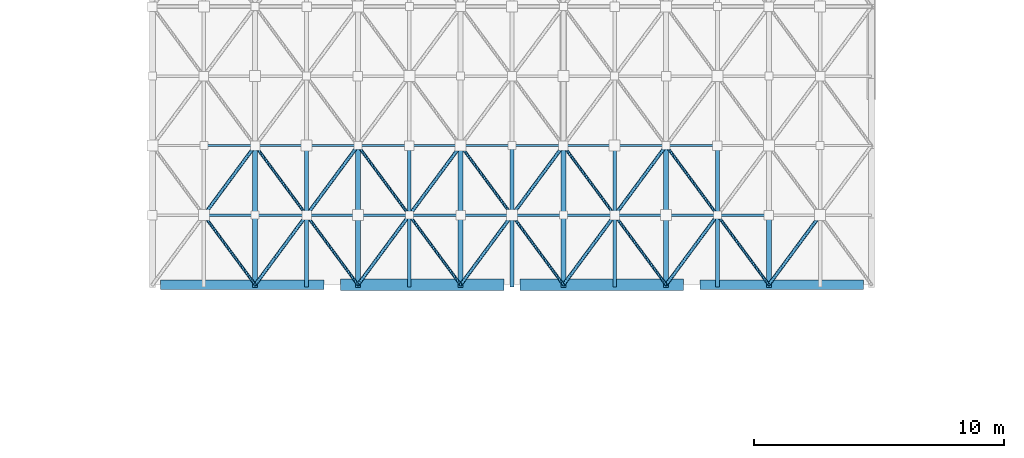
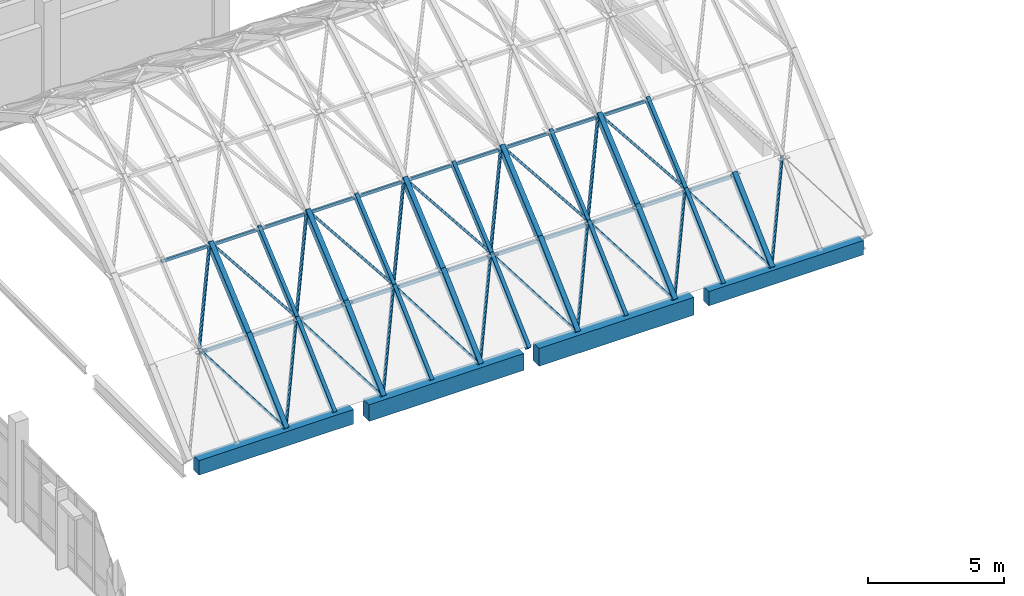
# One storey, part 23 of 87: 64 members, 4 beams.
"""IFC4 building model written with IfcOpenShell, lengths in metres."""

from ifc_helpers import new_model, si_unit, direction, frame, origin, origin_2d, place, context, subcontext, project, spatial, rectangle, hollow_rectangle, hollow_circle, extrude, material, material_profile, profile_set, type_object, element, save


model = new_model("IFC4")

# Units and contexts
model_context = context("Model", 3, precision=1e-05, world=origin(), true_north=direction((0.0, 1.0)))
body_context = subcontext(model_context, "Body", "Model", "MODEL_VIEW")
ifc_project = project(units=[si_unit("LENGTHUNIT", "METRE"), si_unit("AREAUNIT", "SQUARE_METRE"), si_unit("VOLUMEUNIT", "CUBIC_METRE"), si_unit("PLANEANGLEUNIT", "RADIAN"), si_unit("MASSUNIT", "GRAM", prefix="KILO")], contexts=[model_context])

# Site, building, storey
site_placement = place(None, origin())
site = spatial("IfcSite", under=ifc_project, at=site_placement, CompositionType="ELEMENT")
building_placement = place(site_placement, origin())
building = spatial("IfcBuilding", under=site, at=building_placement, Name="Kalluvel Institute of Natural Sciences", CompositionType="ELEMENT")
storey_placement = place(building_placement, frame((0.0, 0.0, 18.89990234375)))
storey = spatial("IfcBuildingStorey", under=building, at=storey_placement, Name="L04", CompositionType="ELEMENT", Elevation=18.89990234375)

# Beams
ifc_material_1 = material(Name="Concrete M40", Category="concrete")
ifc_material_profile_1 = material_profile(ifc_material_1, rectangle(XDim=0.3798828125, YDim=0.639892578125, at=origin_2d()), Name="RCB 380x640")
ifc_profile_set_1 = profile_set([ifc_material_profile_1], Name="Concrete M40")
beam_type_1 = type_object("IfcBeamType", Name="BM-RC380x640", PredefinedType="BEAM", material=ifc_profile_set_1)
beam_1_placement = place(storey_placement, frame((64.72509765625, 71.60009765625, -0.2998046875), z_axis=(1.0, 0.0, 0.0), x_axis=(0.0, 1.0, 0.0)))
element("IfcBeam", 1, at=beam_1_placement, inside=storey, type_object=beam_type_1, Name="L04 girder GIR-L04-EW-X644-Y716", PredefinedType="BEAM", context=body_context, shape_type="SweptSolid", body=[
    extrude(rectangle(XDim=0.3798828125, YDim=0.639892578125, at=origin_2d()), origin(), (0.0, 0.0, 1.0), 6.5498046875),
])
ifc_material_profile_2 = material_profile(ifc_material_1, rectangle(XDim=0.39990234375, YDim=0.64990234375, at=origin_2d()), Name="RCB 400x650")
ifc_profile_set_2 = profile_set([ifc_material_profile_2], Name="Concrete M40")
beam_type_2 = type_object("IfcBeamType", Name="BM-RC400x650", PredefinedType="BEAM", material=ifc_profile_set_2)
beam_2_placement = place(storey_placement, frame((43.125, 71.60009765625, -0.304931640625), z_axis=(1.0, 0.0, 0.0), x_axis=(0.0, 1.0, 0.0)))
element("IfcBeam", 2, at=beam_2_placement, inside=storey, type_object=beam_type_2, Name="L04 girder GIR-L04-EW-X428-Y716", PredefinedType="BEAM", context=body_context, shape_type="SweptSolid", body=[
    extrude(rectangle(XDim=0.39990234375, YDim=0.64990234375, at=origin_2d()), origin(), (0.0, 0.0, 1.0), 6.550048828125),
])
ifc_material_profile_3 = material_profile(ifc_material_1, rectangle(XDim=0.449951171875, YDim=0.75, at=origin_2d()), Name="RCB 450x750")
ifc_profile_set_3 = profile_set([ifc_material_profile_3], Name="Concrete M40")
beam_type_3 = type_object("IfcBeamType", Name="BM-RC450x750", PredefinedType="BEAM", material=ifc_profile_set_3)
beam_3_placement = place(storey_placement, frame((50.324951171875, 71.60009765625, -0.35498046875), z_axis=(1.0, 0.0, 0.0), x_axis=(0.0, 1.0, 0.0)))
element("IfcBeam", 3, at=beam_3_placement, inside=storey, type_object=beam_type_3, Name="L04 girder GIR-L04-EW-X500-Y716", PredefinedType="BEAM", context=body_context, shape_type="SweptSolid", body=[
    extrude(rectangle(XDim=0.449951171875, YDim=0.75, at=origin_2d()), origin(), (0.0, 0.0, 1.0), 6.550048828125),
])
ifc_material_profile_4 = material_profile(ifc_material_1, rectangle(XDim=0.449951171875, YDim=0.800048828125, at=origin_2d()), Name="RCB 450x800")
ifc_profile_set_4 = profile_set([ifc_material_profile_4], Name="Concrete M40")
beam_type_4 = type_object("IfcBeamType", Name="BM-RC450x800", PredefinedType="BEAM", material=ifc_profile_set_4)
beam_4_placement = place(storey_placement, frame((57.52490234375, 71.60009765625, -0.3798828125), z_axis=(1.0, 0.0, 0.0), x_axis=(0.0, 1.0, 0.0)))
element("IfcBeam", 4, at=beam_4_placement, inside=storey, type_object=beam_type_4, Name="L04 girder GIR-L04-EW-X572-Y716", PredefinedType="BEAM", context=body_context, shape_type="SweptSolid", body=[
    extrude(rectangle(XDim=0.449951171875, YDim=0.800048828125, at=origin_2d()), origin(), (0.0, 0.0, 1.0), 6.550048828125),
])

# Members
ifc_material_2 = material(Name="Steel E350 Grade 350", Category="steel")
ifc_material_profile_5 = material_profile(ifc_material_2, hollow_rectangle(XDim=0.14990234375, YDim=0.25, WallThickness=0.010009765625, at=origin_2d()), Name="RHS 250x150x10")
ifc_profile_set_5 = profile_set([ifc_material_profile_5], Name="Steel E350 Grade 350")
member_type_1 = type_object("IfcMemberType", Name="MB-ARCH-SEG250", PredefinedType="USERDEFINED", material=ifc_profile_set_5)
member_1_placement = place(storey_placement, frame((48.971435546875, 71.60009765625, 0.0), z_axis=(0.0, 0.733088696682, 0.680133047864), x_axis=(-1.0, 0.0, 0.0)))
element("IfcMember", 5, at=member_1_placement, inside=storey, type_object=member_type_1, Name="Atrium gridshell pointed arch segment 25", ObjectType="ARCH_SEGMENT", PredefinedType="USERDEFINED", context=body_context, shape_type="SweptSolid", body=[
    extrude(hollow_rectangle(XDim=0.14990234375, YDim=0.25, WallThickness=0.010009765625, at=origin_2d()), origin(), (0.0, 0.0, 1.0), 3.798828125),
])
member_2_placement = place(storey_placement, frame((48.971435546875, 74.385009765625, 2.583740234375), z_axis=(0.0, 0.758448754264, 0.651732680748), x_axis=(-1.0, 0.0, 0.0)))
element("IfcMember", 6, at=member_2_placement, inside=storey, type_object=member_type_1, Name="Atrium gridshell pointed arch segment 26", ObjectType="ARCH_SEGMENT", PredefinedType="USERDEFINED", context=body_context, shape_type="SweptSolid", body=[
    extrude(hollow_rectangle(XDim=0.14990234375, YDim=0.25, WallThickness=0.010009765625, at=origin_2d()), origin(), (0.0, 0.0, 1.0), 3.671875),
])
member_3_placement = place(storey_placement, frame((53.085693359375, 71.60009765625, 0.0), z_axis=(0.0, 0.733088696682, 0.680133047864), x_axis=(-1.0, 0.0, 0.0)))
element("IfcMember", 7, at=member_3_placement, inside=storey, type_object=member_type_1, Name="Atrium gridshell pointed arch segment 41", ObjectType="ARCH_SEGMENT", PredefinedType="USERDEFINED", context=body_context, shape_type="SweptSolid", body=[
    extrude(hollow_rectangle(XDim=0.14990234375, YDim=0.25, WallThickness=0.010009765625, at=origin_2d()), origin(), (0.0, 0.0, 1.0), 3.798828125),
])
member_4_placement = place(storey_placement, frame((53.085693359375, 74.385009765625, 2.583740234375), z_axis=(0.0, 0.758448754264, 0.651732680748), x_axis=(-1.0, 0.0, 0.0)))
element("IfcMember", 8, at=member_4_placement, inside=storey, type_object=member_type_1, Name="Atrium gridshell pointed arch segment 42", ObjectType="ARCH_SEGMENT", PredefinedType="USERDEFINED", context=body_context, shape_type="SweptSolid", body=[
    extrude(hollow_rectangle(XDim=0.14990234375, YDim=0.25, WallThickness=0.010009765625, at=origin_2d()), origin(), (0.0, 0.0, 1.0), 3.671875),
])
member_5_placement = place(storey_placement, frame((57.199951171875, 71.60009765625, 0.0), z_axis=(0.0, 0.733088696682, 0.680133047864), x_axis=(-1.0, 0.0, 0.0)))
element("IfcMember", 9, at=member_5_placement, inside=storey, type_object=member_type_1, Name="Atrium gridshell pointed arch segment 57", ObjectType="ARCH_SEGMENT", PredefinedType="USERDEFINED", context=body_context, shape_type="SweptSolid", body=[
    extrude(hollow_rectangle(XDim=0.14990234375, YDim=0.25, WallThickness=0.010009765625, at=origin_2d()), origin(), (0.0, 0.0, 1.0), 3.798828125),
])
member_6_placement = place(storey_placement, frame((57.199951171875, 74.385009765625, 2.583740234375), z_axis=(0.0, 0.758448754264, 0.651732680748), x_axis=(-1.0, 0.0, 0.0)))
element("IfcMember", 10, at=member_6_placement, inside=storey, type_object=member_type_1, Name="Atrium gridshell pointed arch segment 58", ObjectType="ARCH_SEGMENT", PredefinedType="USERDEFINED", context=body_context, shape_type="SweptSolid", body=[
    extrude(hollow_rectangle(XDim=0.14990234375, YDim=0.25, WallThickness=0.010009765625, at=origin_2d()), origin(), (0.0, 0.0, 1.0), 3.671875),
])
member_7_placement = place(storey_placement, frame((61.314208984375, 71.60009765625, 0.0), z_axis=(0.0, 0.733088696682, 0.680133047864), x_axis=(-1.0, 0.0, 0.0)))
element("IfcMember", 11, at=member_7_placement, inside=storey, type_object=member_type_1, Name="Atrium gridshell pointed arch segment 73", ObjectType="ARCH_SEGMENT", PredefinedType="USERDEFINED", context=body_context, shape_type="SweptSolid", body=[
    extrude(hollow_rectangle(XDim=0.14990234375, YDim=0.25, WallThickness=0.010009765625, at=origin_2d()), origin(), (0.0, 0.0, 1.0), 3.798828125),
])
member_8_placement = place(storey_placement, frame((61.314208984375, 74.385009765625, 2.583740234375), z_axis=(0.0, 0.758448754264, 0.651732680748), x_axis=(-1.0, 0.0, 0.0)))
element("IfcMember", 12, at=member_8_placement, inside=storey, type_object=member_type_1, Name="Atrium gridshell pointed arch segment 74", ObjectType="ARCH_SEGMENT", PredefinedType="USERDEFINED", context=body_context, shape_type="SweptSolid", body=[
    extrude(hollow_rectangle(XDim=0.14990234375, YDim=0.25, WallThickness=0.010009765625, at=origin_2d()), origin(), (0.0, 0.0, 1.0), 3.671875),
])
member_9_placement = place(storey_placement, frame((65.4287109375, 71.60009765625, 0.0), z_axis=(0.0, 0.733088696682, 0.680133047864), x_axis=(-1.0, 0.0, 0.0)))
element("IfcMember", 13, at=member_9_placement, inside=storey, type_object=member_type_1, Name="Atrium gridshell pointed arch segment 89", ObjectType="ARCH_SEGMENT", PredefinedType="USERDEFINED", context=body_context, shape_type="SweptSolid", body=[
    extrude(hollow_rectangle(XDim=0.14990234375, YDim=0.25, WallThickness=0.010009765625, at=origin_2d()), origin(), (0.0, 0.0, 1.0), 3.798828125),
])
member_10_placement = place(storey_placement, frame((65.4287109375, 74.385009765625, 2.583740234375), z_axis=(0.0, 0.758448754264, 0.651732680748), x_axis=(-1.0, 0.0, 0.0)))
element("IfcMember", 14, at=member_10_placement, inside=storey, type_object=member_type_1, Name="Atrium gridshell pointed arch segment 90", ObjectType="ARCH_SEGMENT", PredefinedType="USERDEFINED", context=body_context, shape_type="SweptSolid", body=[
    extrude(hollow_rectangle(XDim=0.14990234375, YDim=0.25, WallThickness=0.010009765625, at=origin_2d()), origin(), (0.0, 0.0, 1.0), 3.671875),
])
ifc_material_profile_6 = material_profile(ifc_material_2, hollow_rectangle(XDim=0.199951171875, YDim=0.300048828125, WallThickness=0.011962890625, at=origin_2d()), Name="RHS 300x200x12")
ifc_profile_set_6 = profile_set([ifc_material_profile_6], Name="Steel E350 Grade 350")
member_type_2 = type_object("IfcMemberType", Name="MB-ARCH-SEG300", PredefinedType="USERDEFINED", material=ifc_profile_set_6)
member_11_placement = place(storey_placement, frame((46.914306640625, 71.60009765625, 0.0), z_axis=(0.0, 0.733088696682, 0.680133047864), x_axis=(-1.0, 0.0, 0.0)))
element("IfcMember", 15, at=member_11_placement, inside=storey, type_object=member_type_2, Name="Atrium gridshell pointed arch segment 17", ObjectType="ARCH_SEGMENT", PredefinedType="USERDEFINED", context=body_context, shape_type="SweptSolid", body=[
    extrude(hollow_rectangle(XDim=0.199951171875, YDim=0.300048828125, WallThickness=0.011962890625, at=origin_2d()), origin(), (0.0, 0.0, 1.0), 3.798828125),
])
member_12_placement = place(storey_placement, frame((46.914306640625, 74.385009765625, 2.583740234375), z_axis=(0.0, 0.758448754264, 0.651732680748), x_axis=(-1.0, 0.0, 0.0)))
element("IfcMember", 16, at=member_12_placement, inside=storey, type_object=member_type_2, Name="Atrium gridshell pointed arch segment 18", ObjectType="ARCH_SEGMENT", PredefinedType="USERDEFINED", context=body_context, shape_type="SweptSolid", body=[
    extrude(hollow_rectangle(XDim=0.199951171875, YDim=0.300048828125, WallThickness=0.011962890625, at=origin_2d()), origin(), (0.0, 0.0, 1.0), 3.671875),
])
member_13_placement = place(storey_placement, frame((51.028564453125, 71.60009765625, 0.0), z_axis=(0.0, 0.733088696682, 0.680133047864), x_axis=(-1.0, 0.0, 0.0)))
element("IfcMember", 17, at=member_13_placement, inside=storey, type_object=member_type_2, Name="Atrium gridshell pointed arch segment 33", ObjectType="ARCH_SEGMENT", PredefinedType="USERDEFINED", context=body_context, shape_type="SweptSolid", body=[
    extrude(hollow_rectangle(XDim=0.199951171875, YDim=0.300048828125, WallThickness=0.011962890625, at=origin_2d()), origin(), (0.0, 0.0, 1.0), 3.798828125),
])
member_14_placement = place(storey_placement, frame((51.028564453125, 74.385009765625, 2.583740234375), z_axis=(0.0, 0.758448754264, 0.651732680748), x_axis=(-1.0, 0.0, 0.0)))
element("IfcMember", 18, at=member_14_placement, inside=storey, type_object=member_type_2, Name="Atrium gridshell pointed arch segment 34", ObjectType="ARCH_SEGMENT", PredefinedType="USERDEFINED", context=body_context, shape_type="SweptSolid", body=[
    extrude(hollow_rectangle(XDim=0.199951171875, YDim=0.300048828125, WallThickness=0.011962890625, at=origin_2d()), origin(), (0.0, 0.0, 1.0), 3.671875),
])
member_15_placement = place(storey_placement, frame((55.142822265625, 71.60009765625, 0.0), z_axis=(0.0, 0.733088696682, 0.680133047864), x_axis=(-1.0, 0.0, 0.0)))
element("IfcMember", 19, at=member_15_placement, inside=storey, type_object=member_type_2, Name="Atrium gridshell pointed arch segment 49", ObjectType="ARCH_SEGMENT", PredefinedType="USERDEFINED", context=body_context, shape_type="SweptSolid", body=[
    extrude(hollow_rectangle(XDim=0.199951171875, YDim=0.300048828125, WallThickness=0.011962890625, at=origin_2d()), origin(), (0.0, 0.0, 1.0), 3.798828125),
])
member_16_placement = place(storey_placement, frame((55.142822265625, 74.385009765625, 2.583740234375), z_axis=(0.0, 0.758448754264, 0.651732680748), x_axis=(-1.0, 0.0, 0.0)))
element("IfcMember", 20, at=member_16_placement, inside=storey, type_object=member_type_2, Name="Atrium gridshell pointed arch segment 50", ObjectType="ARCH_SEGMENT", PredefinedType="USERDEFINED", context=body_context, shape_type="SweptSolid", body=[
    extrude(hollow_rectangle(XDim=0.199951171875, YDim=0.300048828125, WallThickness=0.011962890625, at=origin_2d()), origin(), (0.0, 0.0, 1.0), 3.671875),
])
member_17_placement = place(storey_placement, frame((59.257080078125, 71.60009765625, 0.0), z_axis=(0.0, 0.733088696682, 0.680133047864), x_axis=(-1.0, 0.0, 0.0)))
element("IfcMember", 21, at=member_17_placement, inside=storey, type_object=member_type_2, Name="Atrium gridshell pointed arch segment 65", ObjectType="ARCH_SEGMENT", PredefinedType="USERDEFINED", context=body_context, shape_type="SweptSolid", body=[
    extrude(hollow_rectangle(XDim=0.199951171875, YDim=0.300048828125, WallThickness=0.011962890625, at=origin_2d()), origin(), (0.0, 0.0, 1.0), 3.798828125),
])
member_18_placement = place(storey_placement, frame((59.257080078125, 74.385009765625, 2.583740234375), z_axis=(0.0, 0.758448754264, 0.651732680748), x_axis=(-1.0, 0.0, 0.0)))
element("IfcMember", 22, at=member_18_placement, inside=storey, type_object=member_type_2, Name="Atrium gridshell pointed arch segment 66", ObjectType="ARCH_SEGMENT", PredefinedType="USERDEFINED", context=body_context, shape_type="SweptSolid", body=[
    extrude(hollow_rectangle(XDim=0.199951171875, YDim=0.300048828125, WallThickness=0.011962890625, at=origin_2d()), origin(), (0.0, 0.0, 1.0), 3.671875),
])
member_19_placement = place(storey_placement, frame((63.371337890625, 71.60009765625, 0.0), z_axis=(0.0, 0.733088696682, 0.680133047864), x_axis=(-1.0, 0.0, 0.0)))
element("IfcMember", 23, at=member_19_placement, inside=storey, type_object=member_type_2, Name="Atrium gridshell pointed arch segment 81", ObjectType="ARCH_SEGMENT", PredefinedType="USERDEFINED", context=body_context, shape_type="SweptSolid", body=[
    extrude(hollow_rectangle(XDim=0.199951171875, YDim=0.300048828125, WallThickness=0.011962890625, at=origin_2d()), origin(), (0.0, 0.0, 1.0), 3.798828125),
])
member_20_placement = place(storey_placement, frame((63.371337890625, 74.385009765625, 2.583740234375), z_axis=(0.0, 0.758448754264, 0.651732680748), x_axis=(-1.0, 0.0, 0.0)))
element("IfcMember", 24, at=member_20_placement, inside=storey, type_object=member_type_2, Name="Atrium gridshell pointed arch segment 82", ObjectType="ARCH_SEGMENT", PredefinedType="USERDEFINED", context=body_context, shape_type="SweptSolid", body=[
    extrude(hollow_rectangle(XDim=0.199951171875, YDim=0.300048828125, WallThickness=0.011962890625, at=origin_2d()), origin(), (0.0, 0.0, 1.0), 3.671875),
])
member_21_placement = place(storey_placement, frame((67.485595703125, 71.60009765625, 0.0), z_axis=(0.0, 0.733088696682, 0.680133047864), x_axis=(-1.0, 0.0, 0.0)))
element("IfcMember", 25, at=member_21_placement, inside=storey, type_object=member_type_2, Name="Atrium gridshell pointed arch segment 97", ObjectType="ARCH_SEGMENT", PredefinedType="USERDEFINED", context=body_context, shape_type="SweptSolid", body=[
    extrude(hollow_rectangle(XDim=0.199951171875, YDim=0.300048828125, WallThickness=0.011962890625, at=origin_2d()), origin(), (0.0, 0.0, 1.0), 3.798828125),
])
ifc_material_profile_7 = material_profile(ifc_material_2, hollow_circle(Radius=0.05712890625, WallThickness=0.006103515625, at=origin_2d()), Name="CHS 114.3x6.0")
ifc_profile_set_7 = profile_set([ifc_material_profile_7], Name="Steel E350 Grade 350")
member_type_3 = type_object("IfcMemberType", Name="MB-BR-CHS114", PredefinedType="BRACE", material=ifc_profile_set_7)
member_22_placement = place(storey_placement, frame((46.914306640625, 71.60009765625, 0.02001953125), z_axis=(-0.476176678593, 0.644641273761, 0.598074743597), x_axis=(-0.804353425168, -0.594151131802, 0.0)))
element("IfcMember", 26, at=member_22_placement, inside=storey, type_object=member_type_3, Name="Atrium gridshell diagonal brace 9", PredefinedType="BRACE", context=body_context, shape_type="SweptSolid", body=[
    extrude(hollow_circle(Radius=0.05712890625, WallThickness=0.006103515625, at=origin_2d()), origin(), (0.0, 0.0, 1.0), 4.320068359375),
])
member_23_placement = place(storey_placement, frame((48.971435546875, 74.385009765625, 2.603759765625), z_axis=(-0.488764589812, 0.661682610489, 0.568581831158), x_axis=(-0.804353425168, -0.594151131802, 0.0)))
element("IfcMember", 27, at=member_23_placement, inside=storey, type_object=member_type_3, Name="Atrium gridshell diagonal brace 18", PredefinedType="BRACE", context=body_context, shape_type="SweptSolid", body=[
    extrude(hollow_circle(Radius=0.05712890625, WallThickness=0.006103515625, at=origin_2d()), origin(), (0.0, 0.0, 1.0), 4.208740234375),
])
member_24_placement = place(storey_placement, frame((51.028564453125, 71.60009765625, 0.02001953125), z_axis=(-0.476176678593, 0.644641273761, 0.598074743597), x_axis=(-0.804353425168, -0.594151131802, 0.0)))
element("IfcMember", 28, at=member_24_placement, inside=storey, type_object=member_type_3, Name="Atrium gridshell diagonal brace 25", PredefinedType="BRACE", context=body_context, shape_type="SweptSolid", body=[
    extrude(hollow_circle(Radius=0.05712890625, WallThickness=0.006103515625, at=origin_2d()), origin(), (0.0, 0.0, 1.0), 4.320068359375),
])
member_25_placement = place(storey_placement, frame((53.085693359375, 74.385009765625, 2.603759765625), z_axis=(-0.488764589812, 0.661682610489, 0.568581831158), x_axis=(-0.804353425168, -0.594151131802, 0.0)))
element("IfcMember", 29, at=member_25_placement, inside=storey, type_object=member_type_3, Name="Atrium gridshell diagonal brace 34", PredefinedType="BRACE", context=body_context, shape_type="SweptSolid", body=[
    extrude(hollow_circle(Radius=0.05712890625, WallThickness=0.006103515625, at=origin_2d()), origin(), (0.0, 0.0, 1.0), 4.208740234375),
])
member_26_placement = place(storey_placement, frame((55.142822265625, 71.60009765625, 0.02001953125), z_axis=(-0.476176678593, 0.644641273761, 0.598074743597), x_axis=(-0.804353425168, -0.594151131802, 0.0)))
element("IfcMember", 30, at=member_26_placement, inside=storey, type_object=member_type_3, Name="Atrium gridshell diagonal brace 41", PredefinedType="BRACE", context=body_context, shape_type="SweptSolid", body=[
    extrude(hollow_circle(Radius=0.05712890625, WallThickness=0.006103515625, at=origin_2d()), origin(), (0.0, 0.0, 1.0), 4.320068359375),
])
member_27_placement = place(storey_placement, frame((57.199951171875, 74.385009765625, 2.603759765625), z_axis=(-0.488764589812, 0.661682610489, 0.568581831158), x_axis=(-0.804353425168, -0.594151131802, 0.0)))
element("IfcMember", 31, at=member_27_placement, inside=storey, type_object=member_type_3, Name="Atrium gridshell diagonal brace 50", PredefinedType="BRACE", context=body_context, shape_type="SweptSolid", body=[
    extrude(hollow_circle(Radius=0.05712890625, WallThickness=0.006103515625, at=origin_2d()), origin(), (0.0, 0.0, 1.0), 4.208740234375),
])
member_28_placement = place(storey_placement, frame((59.257080078125, 71.60009765625, 0.02001953125), z_axis=(-0.476176678593, 0.644641273761, 0.598074743597), x_axis=(-0.804353425168, -0.594151131802, 0.0)))
element("IfcMember", 32, at=member_28_placement, inside=storey, type_object=member_type_3, Name="Atrium gridshell diagonal brace 57", PredefinedType="BRACE", context=body_context, shape_type="SweptSolid", body=[
    extrude(hollow_circle(Radius=0.05712890625, WallThickness=0.006103515625, at=origin_2d()), origin(), (0.0, 0.0, 1.0), 4.320068359375),
])
member_29_placement = place(storey_placement, frame((61.314208984375, 74.385009765625, 2.603759765625), z_axis=(-0.488764589812, 0.661682610489, 0.568581831158), x_axis=(-0.804353425168, -0.594151131802, 0.0)))
element("IfcMember", 33, at=member_29_placement, inside=storey, type_object=member_type_3, Name="Atrium gridshell diagonal brace 66", PredefinedType="BRACE", context=body_context, shape_type="SweptSolid", body=[
    extrude(hollow_circle(Radius=0.05712890625, WallThickness=0.006103515625, at=origin_2d()), origin(), (0.0, 0.0, 1.0), 4.208740234375),
])
member_30_placement = place(storey_placement, frame((63.371337890625, 71.60009765625, 0.02001953125), z_axis=(-0.476176678593, 0.644641273761, 0.598074743597), x_axis=(-0.804353425168, -0.594151131802, 0.0)))
element("IfcMember", 34, at=member_30_placement, inside=storey, type_object=member_type_3, Name="Atrium gridshell diagonal brace 73", PredefinedType="BRACE", context=body_context, shape_type="SweptSolid", body=[
    extrude(hollow_circle(Radius=0.05712890625, WallThickness=0.006103515625, at=origin_2d()), origin(), (0.0, 0.0, 1.0), 4.320068359375),
])
member_31_placement = place(storey_placement, frame((65.4287109375, 74.385009765625, 2.603759765625), z_axis=(-0.488808737378, 0.661663850394, 0.568565710666), x_axis=(-0.804319726107, -0.594196750408, 0.0)))
element("IfcMember", 35, at=member_31_placement, inside=storey, type_object=member_type_3, Name="Atrium gridshell diagonal brace 82", PredefinedType="BRACE", context=body_context, shape_type="SweptSolid", body=[
    extrude(hollow_circle(Radius=0.05712890625, WallThickness=0.006103515625, at=origin_2d()), origin(), (0.0, 0.0, 1.0), 4.208984375),
])
member_32_placement = place(storey_placement, frame((67.485595703125, 71.60009765625, 0.02001953125), z_axis=(-0.476132977996, 0.644658620772, 0.598090837523), x_axis=(-0.804387124464, -0.594105507461, 0.0)))
element("IfcMember", 36, at=member_32_placement, inside=storey, type_object=member_type_3, Name="Atrium gridshell diagonal brace 89", PredefinedType="BRACE", context=body_context, shape_type="SweptSolid", body=[
    extrude(hollow_circle(Radius=0.05712890625, WallThickness=0.006103515625, at=origin_2d()), origin(), (0.0, 0.0, 1.0), 4.320068359375),
])
ifc_material_profile_8 = material_profile(ifc_material_2, hollow_circle(Radius=0.06982421875, WallThickness=0.008056640625, at=origin_2d()), Name="CHS 139.7x8.0")
ifc_profile_set_8 = profile_set([ifc_material_profile_8], Name="Steel E350 Grade 350")
member_type_4 = type_object("IfcMemberType", Name="MB-BR-CHS139", PredefinedType="BRACE", material=ifc_profile_set_8)
member_33_placement = place(storey_placement, frame((44.857177734375, 74.385009765625, 2.603759765625), z_axis=(0.488764589812, 0.661682610489, 0.568581831158), x_axis=(-0.804353425168, 0.594151131802, 0.0)))
element("IfcMember", 37, at=member_33_placement, inside=storey, type_object=member_type_4, Name="Atrium gridshell diagonal brace 10", PredefinedType="BRACE", context=body_context, shape_type="SweptSolid", body=[
    extrude(hollow_circle(Radius=0.06982421875, WallThickness=0.008056640625, at=origin_2d()), origin(), (0.0, 0.0, 1.0), 4.208740234375),
])
member_34_placement = place(storey_placement, frame((46.914306640625, 71.60009765625, 0.02001953125), z_axis=(0.476176678593, 0.644641273761, 0.598074743597), x_axis=(-0.804353425168, 0.594151131802, 0.0)))
element("IfcMember", 38, at=member_34_placement, inside=storey, type_object=member_type_4, Name="Atrium gridshell diagonal brace 17", PredefinedType="BRACE", context=body_context, shape_type="SweptSolid", body=[
    extrude(hollow_circle(Radius=0.06982421875, WallThickness=0.008056640625, at=origin_2d()), origin(), (0.0, 0.0, 1.0), 4.320068359375),
])
member_35_placement = place(storey_placement, frame((48.971435546875, 74.385009765625, 2.603759765625), z_axis=(0.488764589812, 0.661682610489, 0.568581831158), x_axis=(-0.804353425168, 0.594151131802, 0.0)))
element("IfcMember", 39, at=member_35_placement, inside=storey, type_object=member_type_4, Name="Atrium gridshell diagonal brace 26", PredefinedType="BRACE", context=body_context, shape_type="SweptSolid", body=[
    extrude(hollow_circle(Radius=0.06982421875, WallThickness=0.008056640625, at=origin_2d()), origin(), (0.0, 0.0, 1.0), 4.208740234375),
])
member_36_placement = place(storey_placement, frame((51.028564453125, 71.60009765625, 0.02001953125), z_axis=(0.476176678593, 0.644641273761, 0.598074743597), x_axis=(-0.804353425168, 0.594151131802, 0.0)))
element("IfcMember", 40, at=member_36_placement, inside=storey, type_object=member_type_4, Name="Atrium gridshell diagonal brace 33", PredefinedType="BRACE", context=body_context, shape_type="SweptSolid", body=[
    extrude(hollow_circle(Radius=0.06982421875, WallThickness=0.008056640625, at=origin_2d()), origin(), (0.0, 0.0, 1.0), 4.320068359375),
])
member_37_placement = place(storey_placement, frame((53.085693359375, 74.385009765625, 2.603759765625), z_axis=(0.488764589812, 0.661682610489, 0.568581831158), x_axis=(-0.804353425168, 0.594151131802, 0.0)))
element("IfcMember", 41, at=member_37_placement, inside=storey, type_object=member_type_4, Name="Atrium gridshell diagonal brace 42", PredefinedType="BRACE", context=body_context, shape_type="SweptSolid", body=[
    extrude(hollow_circle(Radius=0.06982421875, WallThickness=0.008056640625, at=origin_2d()), origin(), (0.0, 0.0, 1.0), 4.208740234375),
])
member_38_placement = place(storey_placement, frame((55.142822265625, 71.60009765625, 0.02001953125), z_axis=(0.476176678593, 0.644641273761, 0.598074743597), x_axis=(-0.804353425168, 0.594151131802, 0.0)))
element("IfcMember", 42, at=member_38_placement, inside=storey, type_object=member_type_4, Name="Atrium gridshell diagonal brace 49", PredefinedType="BRACE", context=body_context, shape_type="SweptSolid", body=[
    extrude(hollow_circle(Radius=0.06982421875, WallThickness=0.008056640625, at=origin_2d()), origin(), (0.0, 0.0, 1.0), 4.320068359375),
])
member_39_placement = place(storey_placement, frame((57.199951171875, 74.385009765625, 2.603759765625), z_axis=(0.488764589812, 0.661682610489, 0.568581831158), x_axis=(-0.804353425168, 0.594151131802, 0.0)))
element("IfcMember", 43, at=member_39_placement, inside=storey, type_object=member_type_4, Name="Atrium gridshell diagonal brace 58", PredefinedType="BRACE", context=body_context, shape_type="SweptSolid", body=[
    extrude(hollow_circle(Radius=0.06982421875, WallThickness=0.008056640625, at=origin_2d()), origin(), (0.0, 0.0, 1.0), 4.208740234375),
])
member_40_placement = place(storey_placement, frame((59.257080078125, 71.60009765625, 0.02001953125), z_axis=(0.476176678593, 0.644641273761, 0.598074743597), x_axis=(-0.804353425168, 0.594151131802, 0.0)))
element("IfcMember", 44, at=member_40_placement, inside=storey, type_object=member_type_4, Name="Atrium gridshell diagonal brace 65", PredefinedType="BRACE", context=body_context, shape_type="SweptSolid", body=[
    extrude(hollow_circle(Radius=0.06982421875, WallThickness=0.008056640625, at=origin_2d()), origin(), (0.0, 0.0, 1.0), 4.320068359375),
])
member_41_placement = place(storey_placement, frame((61.314208984375, 74.385009765625, 2.603759765625), z_axis=(0.488764589812, 0.661682610489, 0.568581831158), x_axis=(-0.804353425168, 0.594151131802, 0.0)))
element("IfcMember", 45, at=member_41_placement, inside=storey, type_object=member_type_4, Name="Atrium gridshell diagonal brace 74", PredefinedType="BRACE", context=body_context, shape_type="SweptSolid", body=[
    extrude(hollow_circle(Radius=0.06982421875, WallThickness=0.008056640625, at=origin_2d()), origin(), (0.0, 0.0, 1.0), 4.208740234375),
])
for number, where, z_axis, x_axis, name in (
    (46, (63.371337890625, 71.60009765625, 0.02001953125), (0.476220375662, 0.644623926091, 0.59805864906), (-0.804319726107, 0.594196750408, 0.0), "Atrium gridshell diagonal brace 81"),
    (47, (67.485595703125, 71.60009765625, 0.02001953125), (0.476220375662, 0.644623926091, 0.59805864906), (-0.804319726107, 0.594196750408, 0.0), "Atrium gridshell diagonal brace 97"),
):
    element("IfcMember", number, at=place(storey_placement, frame(where, z_axis=z_axis, x_axis=x_axis)), inside=storey, type_object=member_type_4, Name=name, PredefinedType="BRACE", context=body_context, shape_type="SweptSolid", body=[
        extrude(hollow_circle(Radius=0.06982421875, WallThickness=0.008056640625, at=origin_2d()), origin(), (0.0, 0.0, 1.0), 4.3203125),
    ])
ifc_material_profile_9 = material_profile(ifc_material_2, hollow_rectangle(XDim=0.080078125, YDim=0.139892578125, WallThickness=0.006103515625, at=origin_2d()), Name="RHS 140x80x6")
ifc_profile_set_9 = profile_set([ifc_material_profile_9], Name="Steel E350 Grade 350")
member_type_5 = type_object("IfcMemberType", Name="MB-PURL-RHS140", PredefinedType="PURLIN", material=ifc_profile_set_9)
for number, where, z_axis, x_axis, name in (
    (48, (44.857177734375, 77.169921875, 4.8369140625), (1.0, 0.0, 0.0), (0.0, 1.0, 0.0), "Atrium gridshell longitudinal purlin 9"),
    (49, (46.914306640625, 77.169921875, 4.8369140625), (1.0, 0.0, 0.0), (0.0, 1.0, 0.0), "Atrium gridshell longitudinal purlin 16"),
    (50, (48.971435546875, 77.169921875, 4.8369140625), (1.0, 0.0, 0.0), (0.0, 1.0, 0.0), "Atrium gridshell longitudinal purlin 23"),
    (51, (51.028564453125, 77.169921875, 4.8369140625), (1.0, 0.0, 0.0), (0.0, 1.0, 0.0), "Atrium gridshell longitudinal purlin 30"),
    (52, (53.085693359375, 77.169921875, 4.8369140625), (1.0, 0.0, 0.0), (0.0, 1.0, 0.0), "Atrium gridshell longitudinal purlin 37"),
    (53, (55.142822265625, 77.169921875, 4.8369140625), (1.0, 0.0, 0.0), (0.0, 1.0, 0.0), "Atrium gridshell longitudinal purlin 44"),
    (54, (57.199951171875, 77.169921875, 4.8369140625), (1.0, 0.0, 0.0), (0.0, 1.0, 0.0), "Atrium gridshell longitudinal purlin 51"),
    (55, (59.257080078125, 77.169921875, 4.8369140625), (1.0, 0.0, 0.0), (0.0, 1.0, 0.0), "Atrium gridshell longitudinal purlin 58"),
    (56, (61.314208984375, 77.169921875, 4.8369140625), (1.0, 0.0, 0.0), (0.0, 1.0, 0.0), "Atrium gridshell longitudinal purlin 65"),
):
    element("IfcMember", number, at=place(storey_placement, frame(where, z_axis=z_axis, x_axis=x_axis)), inside=storey, type_object=member_type_5, Name=name, PredefinedType="PURLIN", context=body_context, shape_type="SweptSolid", body=[
        extrude(hollow_rectangle(XDim=0.080078125, YDim=0.139892578125, WallThickness=0.006103515625, at=origin_2d()), origin(), (0.0, 0.0, 1.0), 2.05712890625),
    ])
member_42_placement = place(storey_placement, frame((63.371337890625, 77.169921875, 4.8369140625), z_axis=(1.0, 0.0, 0.0), x_axis=(0.0, 1.0, 0.0)))
element("IfcMember", 57, at=member_42_placement, inside=storey, type_object=member_type_5, Name="Atrium gridshell longitudinal purlin 72", PredefinedType="PURLIN", context=body_context, shape_type="SweptSolid", body=[
    extrude(hollow_rectangle(XDim=0.080078125, YDim=0.139892578125, WallThickness=0.006103515625, at=origin_2d()), origin(), (0.0, 0.0, 1.0), 2.057373046875),
])
ifc_material_profile_10 = material_profile(ifc_material_2, hollow_rectangle(XDim=0.090087890625, YDim=0.159912109375, WallThickness=0.008056640625, at=origin_2d()), Name="RHS 160x90x8")
ifc_profile_set_10 = profile_set([ifc_material_profile_10], Name="Steel E350 Grade 350")
member_type_6 = type_object("IfcMemberType", Name="MB-PURL-RHS160", PredefinedType="PURLIN", material=ifc_profile_set_10)
for number, where, z_axis, x_axis, name in (
    (58, (44.857177734375, 74.385009765625, 2.443603515625), (1.0, 0.0, 0.0), (0.0, 1.0, 0.0), "Atrium gridshell longitudinal purlin 8"),
    (59, (46.914306640625, 74.385009765625, 2.443603515625), (1.0, 0.0, 0.0), (0.0, 1.0, 0.0), "Atrium gridshell longitudinal purlin 15"),
    (60, (48.971435546875, 74.385009765625, 2.443603515625), (1.0, 0.0, 0.0), (0.0, 1.0, 0.0), "Atrium gridshell longitudinal purlin 22"),
    (61, (51.028564453125, 74.385009765625, 2.443603515625), (1.0, 0.0, 0.0), (0.0, 1.0, 0.0), "Atrium gridshell longitudinal purlin 29"),
    (62, (53.085693359375, 74.385009765625, 2.443603515625), (1.0, 0.0, 0.0), (0.0, 1.0, 0.0), "Atrium gridshell longitudinal purlin 36"),
    (63, (55.142822265625, 74.385009765625, 2.443603515625), (1.0, 0.0, 0.0), (0.0, 1.0, 0.0), "Atrium gridshell longitudinal purlin 43"),
    (64, (57.199951171875, 74.385009765625, 2.443603515625), (1.0, 0.0, 0.0), (0.0, 1.0, 0.0), "Atrium gridshell longitudinal purlin 50"),
    (65, (59.257080078125, 74.385009765625, 2.443603515625), (1.0, 0.0, 0.0), (0.0, 1.0, 0.0), "Atrium gridshell longitudinal purlin 57"),
    (66, (61.314208984375, 74.385009765625, 2.443603515625), (1.0, 0.0, 0.0), (0.0, 1.0, 0.0), "Atrium gridshell longitudinal purlin 64"),
):
    element("IfcMember", number, at=place(storey_placement, frame(where, z_axis=z_axis, x_axis=x_axis)), inside=storey, type_object=member_type_6, Name=name, PredefinedType="PURLIN", context=body_context, shape_type="SweptSolid", body=[
        extrude(hollow_rectangle(XDim=0.090087890625, YDim=0.159912109375, WallThickness=0.008056640625, at=origin_2d()), origin(), (0.0, 0.0, 1.0), 2.05712890625),
    ])
member_43_placement = place(storey_placement, frame((63.371337890625, 74.385009765625, 2.443603515625), z_axis=(1.0, 0.0, 0.0), x_axis=(0.0, 1.0, 0.0)))
element("IfcMember", 67, at=member_43_placement, inside=storey, type_object=member_type_6, Name="Atrium gridshell longitudinal purlin 71", PredefinedType="PURLIN", context=body_context, shape_type="SweptSolid", body=[
    extrude(hollow_rectangle(XDim=0.090087890625, YDim=0.159912109375, WallThickness=0.008056640625, at=origin_2d()), origin(), (0.0, 0.0, 1.0), 2.057373046875),
])
member_44_placement = place(storey_placement, frame((65.4287109375, 74.385009765625, 2.443603515625), z_axis=(1.0, 0.0, 0.0), x_axis=(0.0, 1.0, 0.0)))
element("IfcMember", 68, at=member_44_placement, inside=storey, type_object=member_type_6, Name="Atrium gridshell longitudinal purlin 78", PredefinedType="PURLIN", context=body_context, shape_type="SweptSolid", body=[
    extrude(hollow_rectangle(XDim=0.090087890625, YDim=0.159912109375, WallThickness=0.008056640625, at=origin_2d()), origin(), (0.0, 0.0, 1.0), 2.056884765625),
])

save(model, "model.ifc")
